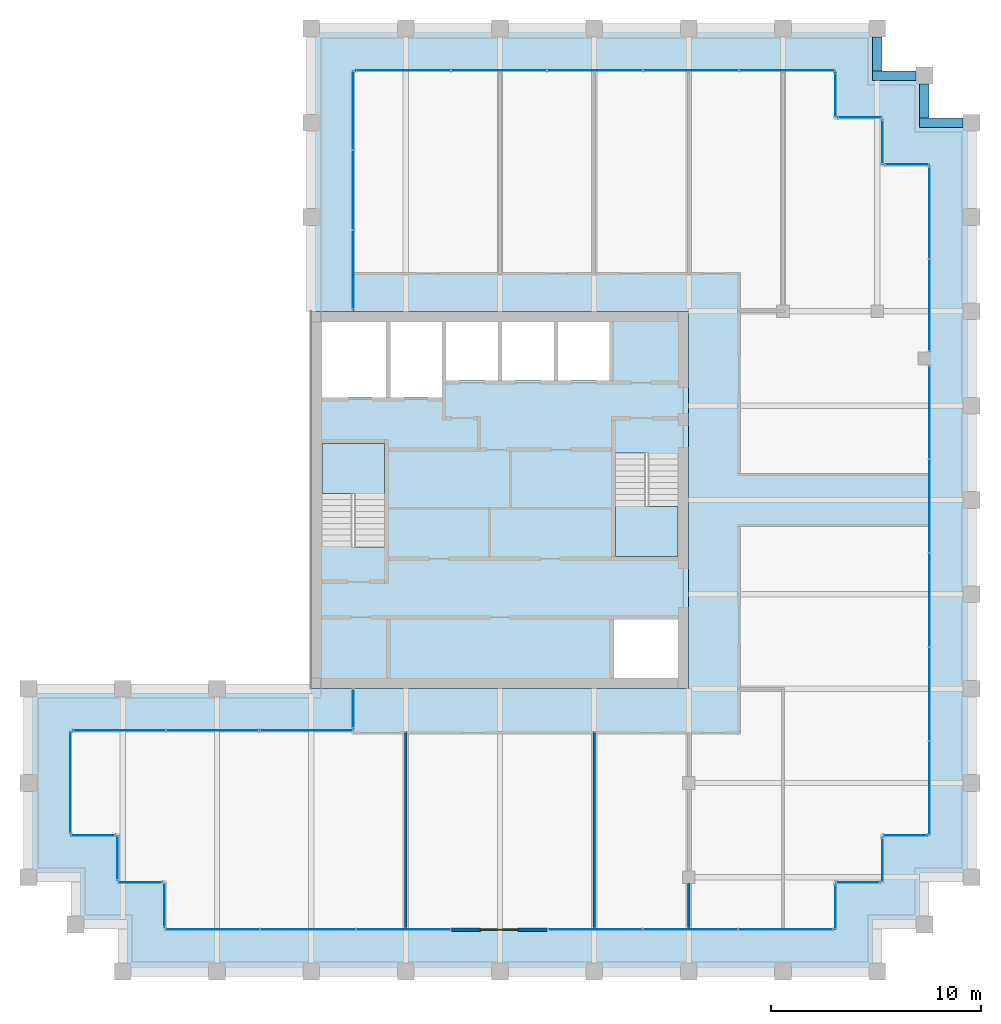
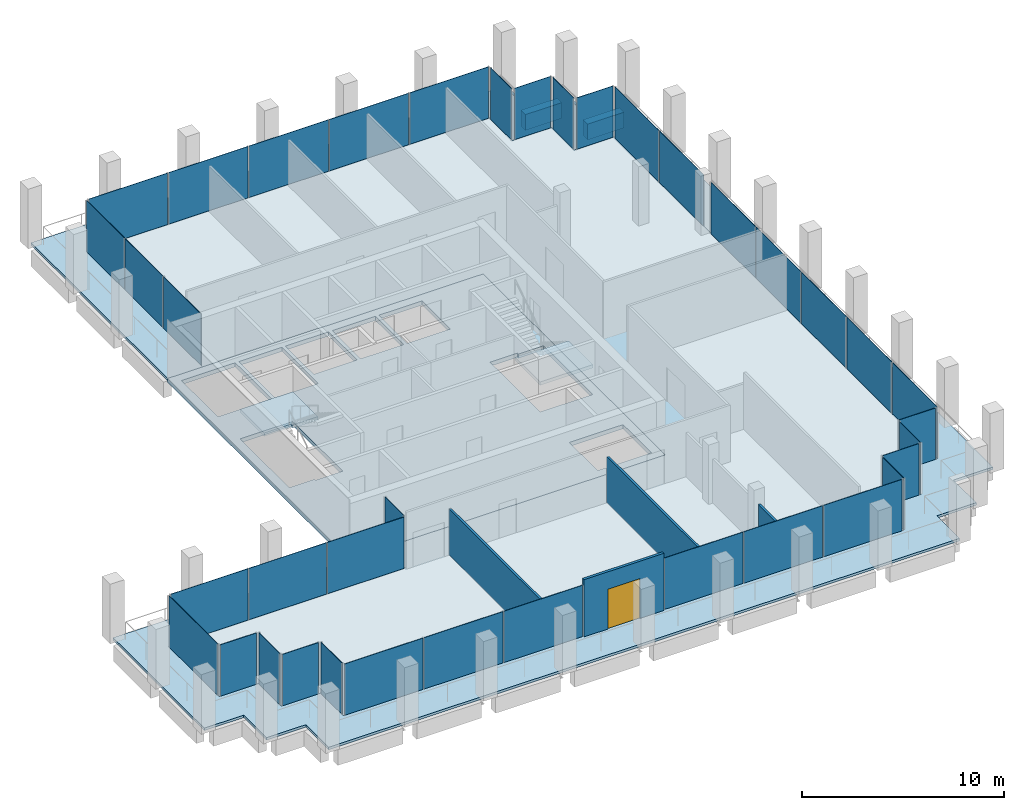
# One storey, part 27 of 30: 38 plates, 5 slabs, 4 beams, 4 walls, 1 door, 1 opening, 23 elements without a shape of their own.
"""IFC4 building model written with IfcOpenShell, lengths in metres."""

from ifc_helpers import new_model, si_unit, direction, frame, frame_2d, origin, origin_2d, place, context, subcontext, project, spatial, polyline, rectangle, outline, extrude, material, layer, layer_set, material_profile, profile_set, type_object, element, fill, aggregate, save


model = new_model("IFC4")

# Units and contexts
model_context = context("Model", 3, precision=1e-05, world=origin(), true_north=direction((0.0, 1.0)))
body_context = subcontext(model_context, "Body", "Model", "MODEL_VIEW")
ifc_project = project(units=[si_unit("LENGTHUNIT", "METRE"), si_unit("AREAUNIT", "SQUARE_METRE"), si_unit("VOLUMEUNIT", "CUBIC_METRE"), si_unit("PLANEANGLEUNIT", "RADIAN"), si_unit("MASSUNIT", "GRAM", prefix="KILO")], contexts=[model_context])

# Site, building, storey
site_placement = place(None, origin())
site = spatial("IfcSite", under=ifc_project, at=site_placement, CompositionType="ELEMENT")
building_placement = place(site_placement, origin())
building = spatial("IfcBuilding", under=site, at=building_placement, Name="Altepetl Exchange Towers", CompositionType="ELEMENT")
storey_placement = place(building_placement, frame((0.0, 0.0, 220.800048828125)))
storey = spatial("IfcBuildingStorey", under=building, at=storey_placement, Name="L56", CompositionType="ELEMENT", Elevation=220.800048828125)

# Beams
ifc_material_1 = material(Name="Concrete C50/60 precast with cantera rosa facing", Category="concrete")
ifc_material_profile = material_profile(ifc_material_1, rectangle(XDim=0.449951171875, YDim=0.949951171875, at=origin_2d()), Name="450 x 950")
ifc_profile_set = profile_set([ifc_material_profile], Name="Concrete C50/60 precast with cantera rosa facing")
beam_type = type_object("IfcBeamType", Name="Spandrel beam 450x950 cantera rosa", PredefinedType="SPANDREL", material=ifc_profile_set)
beam_1_placement = place(storey_placement, frame((71.60009765625, 67.5, -0.625), z_axis=(-1.0, 0.0, 0.0), x_axis=(0.0, -1.0, 0.0)))
element("IfcBeam", 1, at=beam_1_placement, inside=storey, type_object=beam_type, Name="sp:A:L56:020", PredefinedType="SPANDREL", context=body_context, shape_type="SweptSolid", body=[
    extrude(rectangle(XDim=0.449951171875, YDim=0.949951171875, at=origin_2d()), origin(), (0.0, 0.0, 1.0), 2.0751953125),
])
beam_2_placement = place(storey_placement, frame((69.75, 67.72509765625, -0.625), z_axis=(0.0, 1.0, 0.0), x_axis=(-1.0, 0.0, 0.0)))
element("IfcBeam", 2, at=beam_2_placement, inside=storey, type_object=beam_type, Name="sp:A:L56:021", PredefinedType="SPANDREL", context=body_context, shape_type="SweptSolid", body=[
    extrude(rectangle(XDim=0.449951171875, YDim=0.949951171875, at=origin_2d()), origin(), (0.0, 0.0, 1.0), 1.625),
])
beam_3_placement = place(storey_placement, frame((69.35009765625, 69.75, -0.625), z_axis=(-1.0, 0.0, 0.0), x_axis=(0.0, -1.0, 0.0)))
element("IfcBeam", 3, at=beam_3_placement, inside=storey, type_object=beam_type, Name="sp:A:L56:022", PredefinedType="SPANDREL", context=body_context, shape_type="SweptSolid", body=[
    extrude(rectangle(XDim=0.449951171875, YDim=0.949951171875, at=origin_2d()), origin(), (0.0, 0.0, 1.0), 2.0751953125),
])
beam_4_placement = place(storey_placement, frame((67.5, 69.97509765625, -0.625), z_axis=(0.0, 1.0, 0.0), x_axis=(-1.0, 0.0, 0.0)))
element("IfcBeam", 4, at=beam_4_placement, inside=storey, type_object=beam_type, Name="sp:A:L56:023", PredefinedType="SPANDREL", context=body_context, shape_type="SweptSolid", body=[
    extrude(rectangle(XDim=0.449951171875, YDim=0.949951171875, at=origin_2d()), origin(), (0.0, 0.0, 1.0), 1.625),
])

# Slabs
ifc_material_2 = material(Name="Concrete C40/50", Category="concrete")
ifc_layer_1 = layer(ifc_material_2, 0.14990234375)
ifc_layer_set_1 = layer_set([ifc_layer_1], Name="Concrete C40/50")
slab_type_1 = type_object("IfcSlabType", Name="Composite floor slab 150", PredefinedType="FLOOR", material=ifc_layer_set_1)
slab_1_placement = place(storey_placement, frame((0.0, 0.0, -0.150146484375)))
element("IfcSlab", 5, at=slab_1_placement, inside=storey, type_object=slab_type_1, Name="slab:A:L56:strip0", PredefinedType="FLOOR", context=body_context, shape_type="SweptSolid", body=[
    extrude(outline(polyline([(42.5, 70.0), (42.5, 58.5), (58.5, 58.5), (58.5, 40.5), (42.5, 40.5), (42.5, 38.5), (29.0, 38.5), (29.0, 33.5), (31.25, 33.5), (31.25, 31.25), (33.5, 31.25), (33.5, 29.0), (65.5, 29.0), (65.5, 31.25), (67.75, 31.25), (67.75, 33.5), (70.0, 33.5), (70.0, 65.5), (67.75, 65.5), (67.75, 67.75), (65.5, 67.75), (65.5, 70.0), (42.5, 70.0)])), origin(), (0.0, 0.0, 1.0), 0.150146484375),
])
ifc_layer_2 = layer(ifc_material_2, 0.25)
ifc_layer_set_2 = layer_set([ifc_layer_2], Name="Concrete C40/50")
slab_type_2 = type_object("IfcSlabType", Name="Core floor slab 250", PredefinedType="FLOOR", material=ifc_layer_set_2)
slab_2_placement = place(storey_placement, frame((0.0, 0.0, -0.25)))
element("IfcSlab", 6, at=slab_2_placement, inside=storey, type_object=slab_type_2, Name="slab:A:L56:core0", PredefinedType="FLOOR", context=body_context, shape_type="SweptSolid", body=[
    extrude(outline(polyline([(40.5, 40.5), (58.5, 40.5), (58.5, 58.5), (40.5, 58.5), (40.5, 40.5)]), holes=[polyline([(54.93310546875, 43.800048828125), (58.0, 43.800048828125), (58.0, 41.0), (54.93310546875, 41.0), (54.93310546875, 43.800048828125)]), polyline([(55.0, 51.7490234375), (56.550048828125, 51.7490234375), (56.550048828125, 51.64990234375), (58.0, 51.64990234375), (58.0, 46.800048828125), (55.0, 46.800048828125), (55.0, 51.7490234375)]), polyline([(44.0, 47.2509765625), (42.449951171875, 47.2509765625), (42.449951171875, 47.35009765625), (41.0, 47.35009765625), (41.0, 52.199951171875), (44.0, 52.199951171875), (44.0, 47.2509765625)]), polyline([(41.0, 58.0), (44.06689453125, 58.0), (44.06689453125, 54.39990234375), (41.0, 54.39990234375), (41.0, 58.0)]), polyline([(44.26708984375, 58.0), (46.73291015625, 58.0), (46.73291015625, 54.39990234375), (44.26708984375, 54.39990234375), (44.26708984375, 58.0)]), polyline([(46.93310546875, 58.0), (49.39990234375, 58.0), (49.39990234375, 55.199951171875), (46.93310546875, 55.199951171875), (46.93310546875, 58.0)]), polyline([(49.60009765625, 58.0), (52.06689453125, 58.0), (52.06689453125, 55.199951171875), (49.60009765625, 55.199951171875), (49.60009765625, 58.0)]), polyline([(52.26708984375, 58.0), (54.73291015625, 58.0), (54.73291015625, 55.199951171875), (52.26708984375, 55.199951171875), (52.26708984375, 58.0)])]), origin(), (0.0, 0.0, 1.0), 0.25),
])

# Curtain wall, plate
ifc_material_3 = material(Name="Aluminium 6063-T6 glazing", Category="aluminium")
curtain_wall_type = type_object("IfcCurtainWallType", Name="Loggia glazing system", PredefinedType="NOTDEFINED", material=ifc_material_3)
curtain_wall_1_placement = place(storey_placement, origin())
curtain_wall_1 = element("IfcCurtainWall", 7, at=curtain_wall_1_placement, inside=storey, type_object=curtain_wall_type, Name="CW1 run", PredefinedType="NOTDEFINED")
ifc_material_4 = material(Name="Glass 6-16-6 low emissivity", Category="glass")
ifc_layer_3 = layer(ifc_material_4, 0.028076171875)
ifc_layer_set_3 = layer_set([ifc_layer_3], Name="Glass 6-16-6 low emissivity")
plate_type = type_object("IfcPlateType", Name="Glass panel 28 double glazed", PredefinedType="CURTAIN_PANEL", material=ifc_layer_set_3)
plate_1_placement = place(storey_placement, frame((42.5, 39.53759765625, 0.0), z_axis=(0.0, 0.0, 1.0), x_axis=(0.0, -1.0, 0.0)))
plate_1 = element("IfcPlate", 8, at=plate_1_placement, type_object=plate_type, Name="GP1 panel", PredefinedType="CURTAIN_PANEL", context=body_context, shape_type="SweptSolid", body=[
    extrude(rectangle(XDim=1.804931640625, YDim=0.028076171875, at=origin_2d()), origin(), (0.0, 0.0, 1.0), 3.10009765625),
])
aggregate(curtain_wall_1, [plate_1])

# Curtain wall, plates
curtain_wall_2_placement = place(storey_placement, origin())
curtain_wall_2 = element("IfcCurtainWall", 9, at=curtain_wall_2_placement, inside=storey, type_object=curtain_wall_type, Name="CW1 run", PredefinedType="NOTDEFINED")
plate_2_placement = place(storey_placement, frame((40.24755859375, 38.5, 0.0), z_axis=(0.0, 0.0, 1.0), x_axis=(-1.0, 0.0, 0.0)))
plate_2 = element("IfcPlate", 10, at=plate_2_placement, type_object=plate_type, Name="GP1 panel", PredefinedType="CURTAIN_PANEL", context=body_context, shape_type="SweptSolid", body=[
    extrude(rectangle(XDim=4.385009765625, YDim=0.028076171875, at=origin_2d()), origin(), (0.0, 0.0, 1.0), 3.10009765625),
])
plate_3_placement = place(storey_placement, frame((35.78759765625, 38.5, 0.0), z_axis=(0.0, 0.0, 1.0), x_axis=(-1.0, 0.0, 0.0)))
plate_3 = element("IfcPlate", 11, at=plate_3_placement, type_object=plate_type, Name="GP1 panel", PredefinedType="CURTAIN_PANEL", context=body_context, shape_type="SweptSolid", body=[
    extrude(rectangle(XDim=4.4150390625, YDim=0.028076171875, at=origin_2d()), origin(), (0.0, 0.0, 1.0), 3.10009765625),
])
plate_4_placement = place(storey_placement, frame((31.327392578125, 38.5, 0.0), z_axis=(0.0, 0.0, 1.0), x_axis=(-1.0, 0.0, 0.0)))
plate_4 = element("IfcPlate", 12, at=plate_4_placement, type_object=plate_type, Name="GP1 panel", PredefinedType="CURTAIN_PANEL", context=body_context, shape_type="SweptSolid", body=[
    extrude(rectangle(XDim=4.385009765625, YDim=0.028076171875, at=origin_2d()), origin(), (0.0, 0.0, 1.0), 3.10009765625),
])
aggregate(curtain_wall_2, [plate_2, plate_3, plate_4])

# Curtain wall, plate
curtain_wall_3_placement = place(storey_placement, origin())
curtain_wall_3 = element("IfcCurtainWall", 13, at=curtain_wall_3_placement, inside=storey, type_object=curtain_wall_type, Name="CW1 run", PredefinedType="NOTDEFINED")
plate_5_placement = place(storey_placement, frame((29.0, 36.03759765625, 0.0), z_axis=(0.0, 0.0, 1.0), x_axis=(0.0, -1.0, 0.0)))
plate_5 = element("IfcPlate", 14, at=plate_5_placement, type_object=plate_type, Name="GP1 panel", PredefinedType="CURTAIN_PANEL", context=body_context, shape_type="SweptSolid", body=[
    extrude(rectangle(XDim=4.804931640625, YDim=0.028076171875, at=origin_2d()), origin(), (0.0, 0.0, 1.0), 3.10009765625),
])
aggregate(curtain_wall_3, [plate_5])

curtain_wall_4_placement = place(storey_placement, origin())
curtain_wall_4 = element("IfcCurtainWall", 15, at=curtain_wall_4_placement, inside=storey, type_object=curtain_wall_type, Name="CW1 run", PredefinedType="NOTDEFINED")
plate_6_placement = place(storey_placement, frame((30.08740234375, 33.5, 0.0)))
plate_6 = element("IfcPlate", 16, at=plate_6_placement, type_object=plate_type, Name="GP1 panel", PredefinedType="CURTAIN_PANEL", context=body_context, shape_type="SweptSolid", body=[
    extrude(rectangle(XDim=2.054931640625, YDim=0.028076171875, at=origin_2d()), origin(), (0.0, 0.0, 1.0), 3.10009765625),
])
aggregate(curtain_wall_4, [plate_6])

curtain_wall_5_placement = place(storey_placement, origin())
curtain_wall_5 = element("IfcCurtainWall", 17, at=curtain_wall_5_placement, inside=storey, type_object=curtain_wall_type, Name="CW1 run", PredefinedType="NOTDEFINED")
plate_7_placement = place(storey_placement, frame((31.25, 32.41259765625, 0.0), z_axis=(0.0, 0.0, 1.0), x_axis=(0.0, -1.0, 0.0)))
plate_7 = element("IfcPlate", 18, at=plate_7_placement, type_object=plate_type, Name="GP1 panel", PredefinedType="CURTAIN_PANEL", context=body_context, shape_type="SweptSolid", body=[
    extrude(rectangle(XDim=2.054931640625, YDim=0.028076171875, at=origin_2d()), origin(), (0.0, 0.0, 1.0), 3.10009765625),
])
aggregate(curtain_wall_5, [plate_7])

curtain_wall_6_placement = place(storey_placement, origin())
curtain_wall_6 = element("IfcCurtainWall", 19, at=curtain_wall_6_placement, inside=storey, type_object=curtain_wall_type, Name="CW1 run", PredefinedType="NOTDEFINED")
plate_8_placement = place(storey_placement, frame((32.33740234375, 31.25, 0.0)))
plate_8 = element("IfcPlate", 20, at=plate_8_placement, type_object=plate_type, Name="GP1 panel", PredefinedType="CURTAIN_PANEL", context=body_context, shape_type="SweptSolid", body=[
    extrude(rectangle(XDim=2.054931640625, YDim=0.028076171875, at=origin_2d()), origin(), (0.0, 0.0, 1.0), 3.10009765625),
])
aggregate(curtain_wall_6, [plate_8])

curtain_wall_7_placement = place(storey_placement, origin())
curtain_wall_7 = element("IfcCurtainWall", 21, at=curtain_wall_7_placement, inside=storey, type_object=curtain_wall_type, Name="CW1 run", PredefinedType="NOTDEFINED")
plate_9_placement = place(storey_placement, frame((33.5, 30.16259765625, 0.0), z_axis=(0.0, 0.0, 1.0), x_axis=(0.0, -1.0, 0.0)))
plate_9 = element("IfcPlate", 22, at=plate_9_placement, type_object=plate_type, Name="GP1 panel", PredefinedType="CURTAIN_PANEL", context=body_context, shape_type="SweptSolid", body=[
    extrude(rectangle(XDim=2.054931640625, YDim=0.028076171875, at=origin_2d()), origin(), (0.0, 0.0, 1.0), 3.10009765625),
])
aggregate(curtain_wall_7, [plate_9])

# Curtain wall, plates
curtain_wall_8_placement = place(storey_placement, origin())
curtain_wall_8 = element("IfcCurtainWall", 23, at=curtain_wall_8_placement, inside=storey, type_object=curtain_wall_type, Name="CW1 run", PredefinedType="NOTDEFINED")
plate_10_placement = place(storey_placement, frame((35.79541015625, 29.0, 0.0)))
plate_10 = element("IfcPlate", 24, at=plate_10_placement, type_object=plate_type, Name="GP1 panel", PredefinedType="CURTAIN_PANEL", context=body_context, shape_type="SweptSolid", body=[
    extrude(rectangle(XDim=4.470703125, YDim=0.028076171875, at=origin_2d()), origin(), (0.0, 0.0, 1.0), 3.10009765625),
])
plate_11_placement = place(storey_placement, frame((40.341064453125, 29.0, 0.0)))
plate_11 = element("IfcPlate", 25, at=plate_11_placement, type_object=plate_type, Name="GP1 panel", PredefinedType="CURTAIN_PANEL", context=body_context, shape_type="SweptSolid", body=[
    extrude(rectangle(XDim=4.500732421875, YDim=0.028076171875, at=origin_2d()), origin(), (0.0, 0.0, 1.0), 3.10009765625),
])
plate_12_placement = place(storey_placement, frame((44.88671875, 29.0, 0.0)))
plate_12 = element("IfcPlate", 26, at=plate_12_placement, type_object=plate_type, Name="GP1 panel", PredefinedType="CURTAIN_PANEL", context=body_context, shape_type="SweptSolid", body=[
    extrude(rectangle(XDim=4.470703125, YDim=0.028076171875, at=origin_2d()), origin(), (0.0, 0.0, 1.0), 3.10009765625),
])
aggregate(curtain_wall_8, [plate_10, plate_11, plate_12])

curtain_wall_9_placement = place(storey_placement, origin())
curtain_wall_9 = element("IfcCurtainWall", 27, at=curtain_wall_9_placement, inside=storey, type_object=curtain_wall_type, Name="CW1 run", PredefinedType="NOTDEFINED")
plate_13_placement = place(storey_placement, frame((54.038330078125, 29.0, 0.0)))
plate_13 = element("IfcPlate", 28, at=plate_13_placement, type_object=plate_type, Name="GP1 panel", PredefinedType="CURTAIN_PANEL", context=body_context, shape_type="SweptSolid", body=[
    extrude(rectangle(XDim=4.470703125, YDim=0.028076171875, at=origin_2d()), origin(), (0.0, 0.0, 1.0), 3.10009765625),
])
plate_14_placement = place(storey_placement, frame((58.583984375, 29.0, 0.0)))
plate_14 = element("IfcPlate", 29, at=plate_14_placement, type_object=plate_type, Name="GP1 panel", PredefinedType="CURTAIN_PANEL", context=body_context, shape_type="SweptSolid", body=[
    extrude(rectangle(XDim=4.500732421875, YDim=0.028076171875, at=origin_2d()), origin(), (0.0, 0.0, 1.0), 3.10009765625),
])
plate_15_placement = place(storey_placement, frame((63.129638671875, 29.0, 0.0)))
plate_15 = element("IfcPlate", 30, at=plate_15_placement, type_object=plate_type, Name="GP1 panel", PredefinedType="CURTAIN_PANEL", context=body_context, shape_type="SweptSolid", body=[
    extrude(rectangle(XDim=4.470703125, YDim=0.028076171875, at=origin_2d()), origin(), (0.0, 0.0, 1.0), 3.10009765625),
])
aggregate(curtain_wall_9, [plate_13, plate_14, plate_15])

# Curtain wall, plate
curtain_wall_10_placement = place(storey_placement, origin())
curtain_wall_10 = element("IfcCurtainWall", 31, at=curtain_wall_10_placement, inside=storey, type_object=curtain_wall_type, Name="CW1 run", PredefinedType="NOTDEFINED")
plate_16_placement = place(storey_placement, frame((65.5, 30.08740234375, 0.0), z_axis=(0.0, 0.0, 1.0), x_axis=(0.0, 1.0, 0.0)))
plate_16 = element("IfcPlate", 32, at=plate_16_placement, type_object=plate_type, Name="GP1 panel", PredefinedType="CURTAIN_PANEL", context=body_context, shape_type="SweptSolid", body=[
    extrude(rectangle(XDim=2.054931640625, YDim=0.028076171875, at=origin_2d()), origin(), (0.0, 0.0, 1.0), 3.10009765625),
])
aggregate(curtain_wall_10, [plate_16])

curtain_wall_11_placement = place(storey_placement, origin())
curtain_wall_11 = element("IfcCurtainWall", 33, at=curtain_wall_11_placement, inside=storey, type_object=curtain_wall_type, Name="CW1 run", PredefinedType="NOTDEFINED")
plate_17_placement = place(storey_placement, frame((66.58740234375, 31.25, 0.0)))
plate_17 = element("IfcPlate", 34, at=plate_17_placement, type_object=plate_type, Name="GP1 panel", PredefinedType="CURTAIN_PANEL", context=body_context, shape_type="SweptSolid", body=[
    extrude(rectangle(XDim=2.054931640625, YDim=0.028076171875, at=origin_2d()), origin(), (0.0, 0.0, 1.0), 3.10009765625),
])
aggregate(curtain_wall_11, [plate_17])

curtain_wall_12_placement = place(storey_placement, origin())
curtain_wall_12 = element("IfcCurtainWall", 35, at=curtain_wall_12_placement, inside=storey, type_object=curtain_wall_type, Name="CW1 run", PredefinedType="NOTDEFINED")
plate_18_placement = place(storey_placement, frame((67.75, 32.33740234375, 0.0), z_axis=(0.0, 0.0, 1.0), x_axis=(0.0, 1.0, 0.0)))
plate_18 = element("IfcPlate", 36, at=plate_18_placement, type_object=plate_type, Name="GP1 panel", PredefinedType="CURTAIN_PANEL", context=body_context, shape_type="SweptSolid", body=[
    extrude(rectangle(XDim=2.054931640625, YDim=0.028076171875, at=origin_2d()), origin(), (0.0, 0.0, 1.0), 3.10009765625),
])
aggregate(curtain_wall_12, [plate_18])

curtain_wall_13_placement = place(storey_placement, origin())
curtain_wall_13 = element("IfcCurtainWall", 37, at=curtain_wall_13_placement, inside=storey, type_object=curtain_wall_type, Name="CW1 run", PredefinedType="NOTDEFINED")
plate_19_placement = place(storey_placement, frame((68.83740234375, 33.5, 0.0)))
plate_19 = element("IfcPlate", 38, at=plate_19_placement, type_object=plate_type, Name="GP1 panel", PredefinedType="CURTAIN_PANEL", context=body_context, shape_type="SweptSolid", body=[
    extrude(rectangle(XDim=2.054931640625, YDim=0.028076171875, at=origin_2d()), origin(), (0.0, 0.0, 1.0), 3.10009765625),
])
aggregate(curtain_wall_13, [plate_19])

# Curtain wall, plates
curtain_wall_14_placement = place(storey_placement, origin())
curtain_wall_14 = element("IfcCurtainWall", 39, at=curtain_wall_14_placement, inside=storey, type_object=curtain_wall_type, Name="CW1 run", PredefinedType="NOTDEFINED")
plate_20_placement = place(storey_placement, frame((70.0, 35.758056640625, 0.0), z_axis=(0.0, 0.0, 1.0), x_axis=(0.0, 1.0, 0.0)))
plate_20 = element("IfcPlate", 40, at=plate_20_placement, type_object=plate_type, Name="GP1 panel", PredefinedType="CURTAIN_PANEL", context=body_context, shape_type="SweptSolid", body=[
    extrude(rectangle(XDim=4.39599609375, YDim=0.028076171875, at=origin_2d()), origin(), (0.0, 0.0, 1.0), 3.10009765625),
])
plate_21_placement = place(storey_placement, frame((70.0, 40.22900390625, 0.0), z_axis=(0.0, 0.0, 1.0), x_axis=(0.0, 1.0, 0.0)))
plate_21 = element("IfcPlate", 41, at=plate_21_placement, type_object=plate_type, Name="GP1 panel", PredefinedType="CURTAIN_PANEL", context=body_context, shape_type="SweptSolid", body=[
    extrude(rectangle(XDim=4.426025390625, YDim=0.028076171875, at=origin_2d()), origin(), (0.0, 0.0, 1.0), 3.10009765625),
])
plate_22_placement = place(storey_placement, frame((70.0, 44.715087890625, 0.0), z_axis=(0.0, 0.0, 1.0), x_axis=(0.0, 1.0, 0.0)))
plate_22 = element("IfcPlate", 42, at=plate_22_placement, type_object=plate_type, Name="GP1 panel", PredefinedType="CURTAIN_PANEL", context=body_context, shape_type="SweptSolid", body=[
    extrude(rectangle(XDim=4.426025390625, YDim=0.028076171875, at=origin_2d()), origin(), (0.0, 0.0, 1.0), 3.10009765625),
])
plate_23_placement = place(storey_placement, frame((70.0, 49.200927734375, 0.0), z_axis=(0.0, 0.0, 1.0), x_axis=(0.0, 1.0, 0.0)))
plate_23 = element("IfcPlate", 43, at=plate_23_placement, type_object=plate_type, Name="GP1 panel", PredefinedType="CURTAIN_PANEL", context=body_context, shape_type="SweptSolid", body=[
    extrude(rectangle(XDim=4.426025390625, YDim=0.028076171875, at=origin_2d()), origin(), (0.0, 0.0, 1.0), 3.10009765625),
])
plate_24_placement = place(storey_placement, frame((70.0, 53.672119140625, 0.0), z_axis=(0.0, 0.0, 1.0), x_axis=(0.0, 1.0, 0.0)))
plate_24 = element("IfcPlate", 44, at=plate_24_placement, type_object=plate_type, Name="GP1 panel", PredefinedType="CURTAIN_PANEL", context=body_context, shape_type="SweptSolid", body=[
    extrude(rectangle(XDim=4.39599609375, YDim=0.028076171875, at=origin_2d()), origin(), (0.0, 0.0, 1.0), 3.10009765625),
])
aggregate(curtain_wall_14, [plate_20, plate_21, plate_22, plate_23, plate_24])

curtain_wall_15_placement = place(storey_placement, origin())
curtain_wall_15 = element("IfcCurtainWall", 45, at=curtain_wall_15_placement, inside=storey, type_object=curtain_wall_type, Name="CW1 run", PredefinedType="NOTDEFINED")
plate_25_placement = place(storey_placement, frame((70.0, 58.798828125, 0.0), z_axis=(0.0, 0.0, 1.0), x_axis=(0.0, 1.0, 0.0)))
plate_25 = element("IfcPlate", 46, at=plate_25_placement, type_object=plate_type, Name="GP1 panel", PredefinedType="CURTAIN_PANEL", context=body_context, shape_type="SweptSolid", body=[
    extrude(rectangle(XDim=4.33740234375, YDim=0.028076171875, at=origin_2d()), origin(), (0.0, 0.0, 1.0), 3.10009765625),
])
plate_26_placement = place(storey_placement, frame((70.0, 63.1962890625, 0.0), z_axis=(0.0, 0.0, 1.0), x_axis=(0.0, 1.0, 0.0)))
plate_26 = element("IfcPlate", 47, at=plate_26_placement, type_object=plate_type, Name="GP1 panel", PredefinedType="CURTAIN_PANEL", context=body_context, shape_type="SweptSolid", body=[
    extrude(rectangle(XDim=4.33740234375, YDim=0.028076171875, at=origin_2d()), origin(), (0.0, 0.0, 1.0), 3.10009765625),
])
aggregate(curtain_wall_15, [plate_25, plate_26])

# Curtain wall, plate
curtain_wall_16_placement = place(storey_placement, origin())
curtain_wall_16 = element("IfcCurtainWall", 48, at=curtain_wall_16_placement, inside=storey, type_object=curtain_wall_type, Name="CW1 run", PredefinedType="NOTDEFINED")
plate_27_placement = place(storey_placement, frame((68.91259765625, 65.5, 0.0), z_axis=(0.0, 0.0, 1.0), x_axis=(-1.0, 0.0, 0.0)))
plate_27 = element("IfcPlate", 49, at=plate_27_placement, type_object=plate_type, Name="GP1 panel", PredefinedType="CURTAIN_PANEL", context=body_context, shape_type="SweptSolid", body=[
    extrude(rectangle(XDim=2.054931640625, YDim=0.028076171875, at=origin_2d()), origin(), (0.0, 0.0, 1.0), 3.10009765625),
])
aggregate(curtain_wall_16, [plate_27])

curtain_wall_17_placement = place(storey_placement, origin())
curtain_wall_17 = element("IfcCurtainWall", 50, at=curtain_wall_17_placement, inside=storey, type_object=curtain_wall_type, Name="CW1 run", PredefinedType="NOTDEFINED")
plate_28_placement = place(storey_placement, frame((67.75, 66.58740234375, 0.0), z_axis=(0.0, 0.0, 1.0), x_axis=(0.0, 1.0, 0.0)))
plate_28 = element("IfcPlate", 51, at=plate_28_placement, type_object=plate_type, Name="GP1 panel", PredefinedType="CURTAIN_PANEL", context=body_context, shape_type="SweptSolid", body=[
    extrude(rectangle(XDim=2.054931640625, YDim=0.028076171875, at=origin_2d()), origin(), (0.0, 0.0, 1.0), 3.10009765625),
])
aggregate(curtain_wall_17, [plate_28])

curtain_wall_18_placement = place(storey_placement, origin())
curtain_wall_18 = element("IfcCurtainWall", 52, at=curtain_wall_18_placement, inside=storey, type_object=curtain_wall_type, Name="CW1 run", PredefinedType="NOTDEFINED")
plate_29_placement = place(storey_placement, frame((66.66259765625, 67.75, 0.0), z_axis=(0.0, 0.0, 1.0), x_axis=(-1.0, 0.0, 0.0)))
plate_29 = element("IfcPlate", 53, at=plate_29_placement, type_object=plate_type, Name="GP1 panel", PredefinedType="CURTAIN_PANEL", context=body_context, shape_type="SweptSolid", body=[
    extrude(rectangle(XDim=2.054931640625, YDim=0.028076171875, at=origin_2d()), origin(), (0.0, 0.0, 1.0), 3.10009765625),
])
aggregate(curtain_wall_18, [plate_29])

curtain_wall_19_placement = place(storey_placement, origin())
curtain_wall_19 = element("IfcCurtainWall", 54, at=curtain_wall_19_placement, inside=storey, type_object=curtain_wall_type, Name="CW1 run", PredefinedType="NOTDEFINED")
plate_30_placement = place(storey_placement, frame((65.5, 68.83740234375, 0.0), z_axis=(0.0, 0.0, 1.0), x_axis=(0.0, 1.0, 0.0)))
plate_30 = element("IfcPlate", 55, at=plate_30_placement, type_object=plate_type, Name="GP1 panel", PredefinedType="CURTAIN_PANEL", context=body_context, shape_type="SweptSolid", body=[
    extrude(rectangle(XDim=2.054931640625, YDim=0.028076171875, at=origin_2d()), origin(), (0.0, 0.0, 1.0), 3.10009765625),
])
aggregate(curtain_wall_19, [plate_30])

# Curtain wall, plates
curtain_wall_20_placement = place(storey_placement, origin())
curtain_wall_20 = element("IfcCurtainWall", 56, at=curtain_wall_20_placement, inside=storey, type_object=curtain_wall_type, Name="CW1 run", PredefinedType="NOTDEFINED")
plate_31_placement = place(storey_placement, frame((63.1923828125, 70.0, 0.0), z_axis=(0.0, 0.0, 1.0), x_axis=(-1.0, 0.0, 0.0)))
plate_31 = element("IfcPlate", 57, at=plate_31_placement, type_object=plate_type, Name="GP1 panel", PredefinedType="CURTAIN_PANEL", context=body_context, shape_type="SweptSolid", body=[
    extrude(rectangle(XDim=4.4951171875, YDim=0.028076171875, at=origin_2d()), origin(), (0.0, 0.0, 1.0), 3.10009765625),
])
plate_32_placement = place(storey_placement, frame((58.62255859375, 70.0, 0.0), z_axis=(0.0, 0.0, 1.0), x_axis=(-1.0, 0.0, 0.0)))
plate_32 = element("IfcPlate", 58, at=plate_32_placement, type_object=plate_type, Name="GP1 panel", PredefinedType="CURTAIN_PANEL", context=body_context, shape_type="SweptSolid", body=[
    extrude(rectangle(XDim=4.52490234375, YDim=0.028076171875, at=origin_2d()), origin(), (0.0, 0.0, 1.0), 3.10009765625),
])
plate_33_placement = place(storey_placement, frame((54.03759765625, 70.0, 0.0), z_axis=(0.0, 0.0, 1.0), x_axis=(-1.0, 0.0, 0.0)))
plate_33 = element("IfcPlate", 59, at=plate_33_placement, type_object=plate_type, Name="GP1 panel", PredefinedType="CURTAIN_PANEL", context=body_context, shape_type="SweptSolid", body=[
    extrude(rectangle(XDim=4.52490234375, YDim=0.028076171875, at=origin_2d()), origin(), (0.0, 0.0, 1.0), 3.10009765625),
])
plate_34_placement = place(storey_placement, frame((49.452392578125, 70.0, 0.0), z_axis=(0.0, 0.0, 1.0), x_axis=(-1.0, 0.0, 0.0)))
plate_34 = element("IfcPlate", 60, at=plate_34_placement, type_object=plate_type, Name="GP1 panel", PredefinedType="CURTAIN_PANEL", context=body_context, shape_type="SweptSolid", body=[
    extrude(rectangle(XDim=4.52490234375, YDim=0.028076171875, at=origin_2d()), origin(), (0.0, 0.0, 1.0), 3.10009765625),
])
plate_35_placement = place(storey_placement, frame((44.882568359375, 70.0, 0.0), z_axis=(0.0, 0.0, 1.0), x_axis=(-1.0, 0.0, 0.0)))
plate_35 = element("IfcPlate", 61, at=plate_35_placement, type_object=plate_type, Name="GP1 panel", PredefinedType="CURTAIN_PANEL", context=body_context, shape_type="SweptSolid", body=[
    extrude(rectangle(XDim=4.4951171875, YDim=0.028076171875, at=origin_2d()), origin(), (0.0, 0.0, 1.0), 3.10009765625),
])
aggregate(curtain_wall_20, [plate_31, plate_32, plate_33, plate_34, plate_35])

curtain_wall_21_placement = place(storey_placement, origin())
curtain_wall_21 = element("IfcCurtainWall", 62, at=curtain_wall_21_placement, inside=storey, type_object=curtain_wall_type, Name="CW1 run", PredefinedType="NOTDEFINED")
plate_36_placement = place(storey_placement, frame((42.5, 68.080810546875, 0.0), z_axis=(0.0, 0.0, 1.0), x_axis=(0.0, -1.0, 0.0)))
plate_36 = element("IfcPlate", 63, at=plate_36_placement, type_object=plate_type, Name="GP1 panel", PredefinedType="CURTAIN_PANEL", context=body_context, shape_type="SweptSolid", body=[
    extrude(rectangle(XDim=3.71826171875, YDim=0.028076171875, at=origin_2d()), origin(), (0.0, 0.0, 1.0), 3.10009765625),
])
plate_37_placement = place(storey_placement, frame((42.5, 64.28759765625, 0.0), z_axis=(0.0, 0.0, 1.0), x_axis=(0.0, -1.0, 0.0)))
plate_37 = element("IfcPlate", 64, at=plate_37_placement, type_object=plate_type, Name="GP1 panel", PredefinedType="CURTAIN_PANEL", context=body_context, shape_type="SweptSolid", body=[
    extrude(rectangle(XDim=3.748291015625, YDim=0.028076171875, at=origin_2d()), origin(), (0.0, 0.0, 1.0), 3.10009765625),
])
plate_38_placement = place(storey_placement, frame((42.5, 60.494140625, 0.0), z_axis=(0.0, 0.0, 1.0), x_axis=(0.0, -1.0, 0.0)))
plate_38 = element("IfcPlate", 65, at=plate_38_placement, type_object=plate_type, Name="GP1 panel", PredefinedType="CURTAIN_PANEL", context=body_context, shape_type="SweptSolid", body=[
    extrude(rectangle(XDim=3.71826171875, YDim=0.028076171875, at=origin_2d()), origin(), (0.0, 0.0, 1.0), 3.10009765625),
])
aggregate(curtain_wall_21, [plate_36, plate_37, plate_38])

# Slab
ifc_layer_4 = layer(ifc_material_2, 0.14990234375)
ifc_layer_set_4 = layer_set([ifc_layer_4], Name="Concrete C40/50")
slab_type_3 = type_object("IfcSlabType", Name="Loggia slab 150", PredefinedType="FLOOR", material=ifc_layer_set_4)
slab_3_placement = place(storey_placement, frame((0.0, 0.0, -0.150146484375)))
element("IfcSlab", 66, at=slab_3_placement, inside=storey, type_object=slab_type_3, Name="slab:A:L56:loggia0", PredefinedType="FLOOR", context=body_context, shape_type="SweptSolid", body=[
    extrude(outline(polyline([(40.5, 72.0), (40.5, 58.5), (42.5, 58.5), (42.5, 70.0), (65.5, 70.0), (65.5, 67.75), (67.75, 67.75), (67.75, 65.5), (70.0, 65.5), (70.0, 33.5), (67.75, 33.5), (67.75, 31.25), (65.5, 31.25), (65.5, 29.0), (33.5, 29.0), (33.5, 31.25), (31.25, 31.25), (31.25, 33.5), (29.0, 33.5), (29.0, 38.5), (42.5, 38.5), (42.5, 40.5), (40.5, 40.5), (27.0, 40.5), (27.0, 31.5), (29.25, 31.5), (29.25, 29.25), (31.5, 29.25), (31.5, 27.0), (58.5, 27.0), (67.5, 27.0), (67.5, 29.25), (69.75, 29.25), (69.75, 31.5), (72.0, 31.5), (72.0, 58.5), (72.0, 67.5), (69.75, 67.5), (69.75, 69.75), (67.5, 69.75), (67.5, 72.0), (40.5, 72.0)])), origin(), (0.0, 0.0, 1.0), 0.150146484375),
])

# Stair, slab
stair_type = type_object("IfcStairType", Name="Exit stair 1450 flights dogleg", PredefinedType="HALF_TURN_STAIR", material=ifc_material_2)
stair_1_placement = place(storey_placement, origin())
stair_1 = element("IfcStair", 67, at=stair_1_placement, inside=storey, type_object=stair_type, Name="Exit stair 1", PredefinedType="HALF_TURN_STAIR")
ifc_layer_5 = layer(ifc_material_2, 0.199951171875)
ifc_layer_set_5 = layer_set([ifc_layer_5], Name="Concrete C40/50")
slab_type_4 = type_object("IfcSlabType", Name="Stair landing 200 reinforced concrete", PredefinedType="LANDING", material=ifc_layer_set_5)
slab_4_placement = place(storey_placement, frame((0.0, 0.0, 1.599853515625)))
slab_4 = element("IfcSlab", 68, at=slab_4_placement, type_object=slab_type_4, Name="ST-A1f landing 1", PredefinedType="LANDING", context=body_context, shape_type="SweptSolid", body=[
    extrude(outline(polyline([(44.0, 49.715087890625), (42.550048828125, 49.715087890625), (42.550048828125, 49.81494140625), (42.449951171875, 49.81494140625), (42.449951171875, 49.814208984375), (41.0, 49.814208984375), (41.0, 49.81494140625), (41.0, 52.199951171875), (44.0, 52.199951171875), (44.0, 49.81494140625), (44.0, 49.715087890625)])), origin(), (0.0, 0.0, 1.0), 0.2001953125),
])
aggregate(stair_1, [slab_4])

stair_2_placement = place(storey_placement, origin())
stair_2 = element("IfcStair", 69, at=stair_2_placement, inside=storey, type_object=stair_type, Name="Exit stair 2", PredefinedType="HALF_TURN_STAIR")
slab_5_placement = place(storey_placement, frame((0.0, 0.0, 1.599853515625)))
slab_5 = element("IfcSlab", 70, at=slab_5_placement, type_object=slab_type_4, Name="ST-A2f landing 1", PredefinedType="LANDING", context=body_context, shape_type="SweptSolid", body=[
    extrude(outline(polyline([(58.0, 46.800048828125), (55.0, 46.800048828125), (55.0, 49.18505859375), (55.0, 49.284912109375), (56.449951171875, 49.284912109375), (56.449951171875, 49.18505859375), (56.550048828125, 49.18505859375), (56.550048828125, 49.185791015625), (58.0, 49.185791015625), (58.0, 49.18505859375), (58.0, 46.800048828125)])), origin(), (0.0, 0.0, 1.0), 0.2001953125),
])
aggregate(stair_2, [slab_5])

# Wall, opening, door
ifc_material_5 = material(Name="Aluminium composite cladding", Category="aluminium")
ifc_layer_6 = layer(ifc_material_5, 0.14990234375)
ifc_layer_set_6 = layer_set([ifc_layer_6], Name="Aluminium composite cladding")
wall_type_1 = type_object("IfcWallType", Name="Infill wall 150 aluminium panel", PredefinedType="SOLIDWALL", material=ifc_layer_set_6)
wall_1_placement = place(storey_placement, frame((47.18212890625, 29.0, 0.0)))
wall_1 = element("IfcWall", 71, at=wall_1_placement, inside=storey, type_object=wall_type_1, Name="Loggia door bay wall", PredefinedType="SOLIDWALL", context=body_context, shape_type="SweptSolid", body=[
    extrude(rectangle(XDim=4.560791015625, YDim=0.14990234375, at=frame_2d((2.2802734375, 0.0))), origin(), (0.0, 0.0, 1.0), 3.449951171875),
])
opening_placement = place(wall_1_placement, frame((1.38037109375, 0.0, 0.0)))
opening = element("IfcOpeningElement", 72, at=opening_placement, cuts=wall_1, Name="Opening L56.A90", PredefinedType="OPENING", context=body_context, shape_type="SweptSolid", body=[
    extrude(rectangle(XDim=1.800048828125, YDim=2.39990234375, at=frame_2d((0.89990234375, 1.199951171875))), frame((0.0, 0.0849609375, 0.0), z_axis=(0.0, -1.0, 0.0), x_axis=(1.0, 0.0, 0.0)), (0.0, 0.0, 1.0), 0.169921875),
])
ifc_material_6 = material(Name="Aluminium 6063-T6 and glass", Category="aluminium")
door_type = type_object("IfcDoorType", Name="Glazed door pair 1800x2400", OperationType="DOUBLE_DOOR_DOUBLE_SWING", PredefinedType="NOTDEFINED", material=ifc_material_6)
door_placement = place(opening_placement, frame((1.800048828125, 0.0, 0.0), x_axis=(-1.0, 0.0, 0.0)))
door = element("IfcDoor", 73, at=door_placement, inside=storey, type_object=door_type, Name="Loggia door", OperationType="DOUBLE_DOOR_DOUBLE_SWING", OverallHeight=2.39990234375, OverallWidth=1.800048828125, PredefinedType="NOTDEFINED", context=body_context, shape_type="SweptSolid", body=[
    extrude(rectangle(XDim=1.800048828125, YDim=2.39990234375, at=frame_2d((0.89990234375, 1.199951171875))), frame((0.0, 0.02490234375, 0.0), z_axis=(0.0, -1.0, 0.0), x_axis=(1.0, 0.0, 0.0)), (0.0, 0.0, 1.0), 0.050048828125),
])
fill(opening, door)

# Walls
ifc_material_7 = material(Name="Gypsum board on steel studs", Category="steel")
ifc_layer_7 = layer(ifc_material_7, 0.125)
ifc_layer_set_7 = layer_set([ifc_layer_7], Name="Gypsum board on steel studs")
wall_type_2 = type_object("IfcWallType", Name="Partition 125 gypsum board on steel studs", PredefinedType="PARTITIONING", material=ifc_layer_set_7)
for number, where, z_axis, x_axis, name in (
    (74, (45.0, 29.10009765625, 0.0), (0.0, 0.0, 1.0), (0.0, 1.0, 0.0), "wall:A:L56:P07"),
    (75, (54.0, 29.10009765625, 0.0), (0.0, 0.0, 1.0), (0.0, 1.0, 0.0), "wall:A:L56:P09"),
):
    element("IfcWall", number, at=place(storey_placement, frame(where, z_axis=z_axis, x_axis=x_axis)), inside=storey, type_object=wall_type_2, Name=name, PredefinedType="PARTITIONING", context=body_context, shape_type="SweptSolid", body=[
        extrude(rectangle(XDim=9.2998046875, YDim=0.125, at=frame_2d((4.64990234375, 0.0))), origin(), (0.0, 0.0, 1.0), 2.77197265625),
    ])
wall_2_placement = place(storey_placement, frame((58.5, 29.10009765625, 0.0), z_axis=(0.0, 0.0, 1.0), x_axis=(0.0, 1.0, 0.0)))
element("IfcWall", 76, at=wall_2_placement, inside=storey, type_object=wall_type_2, Name="wall:A:L56:P11", PredefinedType="PARTITIONING", context=body_context, shape_type="SweptSolid", body=[
    extrude(rectangle(XDim=2.099853515625, YDim=0.125, at=frame_2d((1.0498046875, 0.0))), origin(), (0.0, 0.0, 1.0), 2.676025390625),
])

save(model, "model.ifc")
